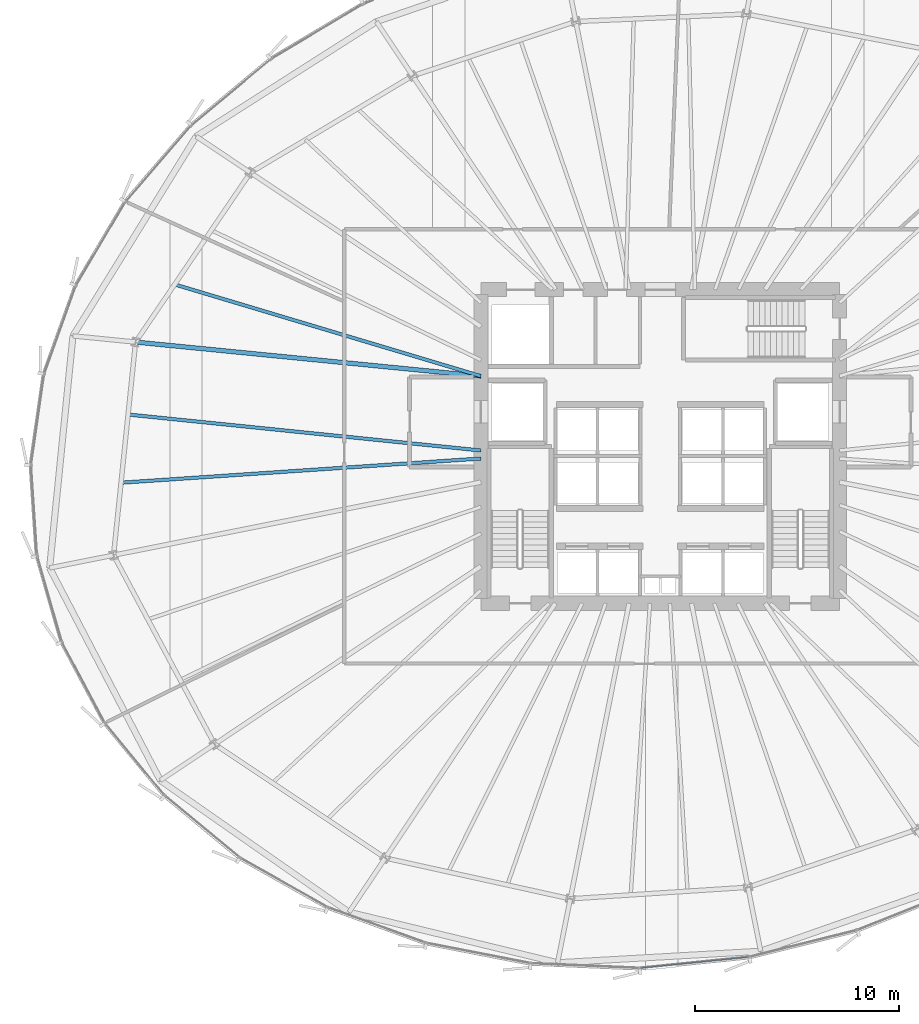
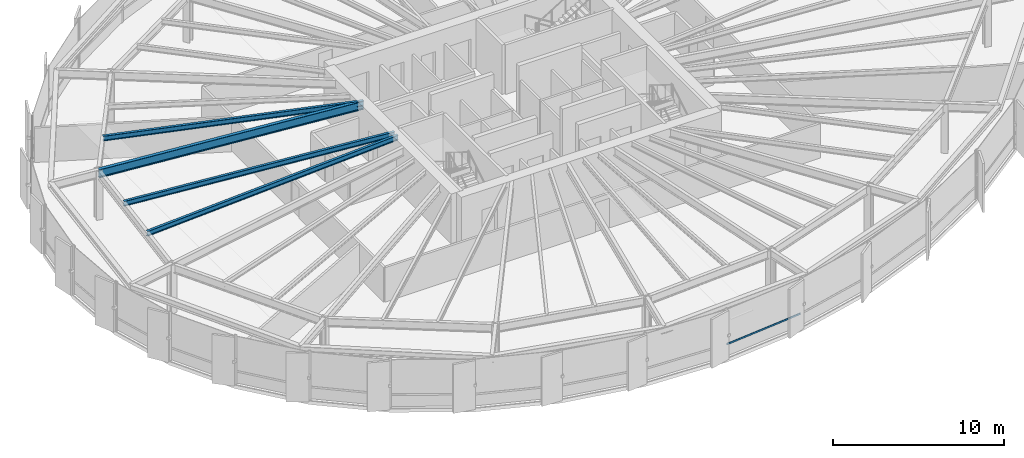
# One storey, part 9 of 35: 4 beams, 1 member, 1 element without a shape of its own.
"""IFC4 building model written with IfcOpenShell, lengths in metres."""

from ifc_helpers import new_model, si_unit, direction, frame, origin, origin_2d, place, context, subcontext, project, spatial, hollow_rectangle, i_section, extrude, source, transform, mapped, material, layer, layer_set, material_profile, profile_set, type_object, element, aggregate, save


model = new_model("IFC4")

# Units and contexts
model_context = context("Model", 3, precision=1e-05, world=origin(), true_north=direction((0.0, 1.0)))
body_context = subcontext(model_context, "Body", "Model", "MODEL_VIEW")
ifc_project = project(units=[si_unit("LENGTHUNIT", "METRE"), si_unit("AREAUNIT", "SQUARE_METRE"), si_unit("VOLUMEUNIT", "CUBIC_METRE"), si_unit("PLANEANGLEUNIT", "RADIAN"), si_unit("MASSUNIT", "GRAM", prefix="KILO"), si_unit("THERMODYNAMICTEMPERATUREUNIT", "KELVIN")], contexts=[model_context])

# Site, building, storey
site_placement = place(None, origin())
site = spatial("IfcSite", under=ifc_project, at=site_placement, CompositionType="ELEMENT")
building_placement = place(site_placement, origin())
building = spatial("IfcBuilding", under=site, at=building_placement, Name="Kethvar Cultural Tower", CompositionType="ELEMENT")
storey_placement = place(building_placement, frame((0.0, 0.0, 71.39990234375)))
storey = spatial("IfcBuildingStorey", under=building, at=storey_placement, Name="L17", CompositionType="ELEMENT", Elevation=71.39990234375)

# Beams
ifc_material_1 = material(Name="Steel S355J2", Category="steel")
ifc_material_profile_1 = material_profile(ifc_material_1, i_section(OverallWidth=0.219970703125, OverallDepth=0.60009765625, WebThickness=0.011962890625, FlangeThickness=0.01904296875, FilletRadius=0.02392578125, at=origin_2d()), Name="Steel S355J2 — IPE600")
ifc_profile_set_1 = profile_set([ifc_material_profile_1], Name="Steel S355J2 — IPE600")
beam_type_1 = type_object("IfcBeamType", Name="BM-IPE600", PredefinedType="BEAM", material=ifc_profile_set_1)
shared_shape_1 = source(origin(), body_context, "Body", "SweptSolid", [
    extrude(i_section(OverallWidth=0.219970703125, OverallDepth=0.60009765625, WebThickness=0.011962890625, FlangeThickness=0.01904296875, FilletRadius=0.02392578125, at=origin_2d()), origin(), (0.0, 0.0, 1.0), 17.03515625),
])
beam_1_placement = place(storey_placement, frame((38.0, 31.25, 3.238037109375), z_axis=(-0.995168138859, 0.098185413375, 0.0), x_axis=(-0.098185413375, -0.995168138859, 0.0)))
element("IfcBeam", 1, at=beam_1_placement, inside=storey, type_object=beam_type_1, Name="L17 Primary Radial Beam RB-08", PredefinedType="BEAM", context=body_context, shape_type="MappedRepresentation", body=[
    mapped(shared_shape_1, transform((0.0, 0.0, 0.0), scale=1.0)),
])
ifc_material_profile_2 = material_profile(ifc_material_1, i_section(OverallWidth=0.169921875, OverallDepth=0.360107421875, WebThickness=0.008056640625, FlangeThickness=0.0126953125, FilletRadius=0.01806640625, at=origin_2d()), Name="Steel S355J2 — IPE360")
ifc_profile_set_2 = profile_set([ifc_material_profile_2], Name="Steel S355J2 — IPE360")
beam_type_2 = type_object("IfcBeamType", Name="BM-J360", PredefinedType="JOIST", material=ifc_profile_set_2)
shared_shape_2 = source(origin(), body_context, "Body", "SweptSolid", [
    extrude(i_section(OverallWidth=0.169921875, OverallDepth=0.360107421875, WebThickness=0.008056640625, FlangeThickness=0.0126953125, FilletRadius=0.01806640625, at=origin_2d()), origin(), (0.0, 0.0, 1.0), 15.6953125),
])
beam_2_placement = place(storey_placement, frame((38.0, 31.25, 3.358154296875), z_axis=(-0.958003344758, 0.28675702508, 0.0), x_axis=(-0.28675702508, -0.958003344758, 0.0)))
element("IfcBeam", 2, at=beam_2_placement, inside=storey, type_object=beam_type_2, Name="L17 Composite Floor Joist J-07B", PredefinedType="JOIST", context=body_context, shape_type="MappedRepresentation", body=[
    mapped(shared_shape_2, transform((0.0, 0.0, 0.0), scale=1.0)),
])
shared_shape_3 = source(origin(), body_context, "Body", "SweptSolid", [
    extrude(i_section(OverallWidth=0.169921875, OverallDepth=0.360107421875, WebThickness=0.008056640625, FlangeThickness=0.0126953125, FilletRadius=0.01806640625, at=origin_2d()), origin(), (0.0, 0.0, 1.0), 17.410400390625),
])
beam_3_placement = place(storey_placement, frame((38.0, 27.60009765625, 3.358154296875), z_axis=(-0.99484162516, 0.101440331474, 0.0), x_axis=(-0.101440331474, -0.99484162516, 0.0)))
element("IfcBeam", 3, at=beam_3_placement, inside=storey, type_object=beam_type_2, Name="L17 Composite Floor Joist J-08A", PredefinedType="JOIST", context=body_context, shape_type="MappedRepresentation", body=[
    mapped(shared_shape_3, transform((0.0, 0.0, 0.0), scale=1.0)),
])
shared_shape_4 = source(origin(), body_context, "Body", "SweptSolid", [
    extrude(i_section(OverallWidth=0.169921875, OverallDepth=0.360107421875, WebThickness=0.008056640625, FlangeThickness=0.0126953125, FilletRadius=0.01806640625, at=origin_2d()), origin(), (0.0, 0.0, 1.0), 17.70654296875),
])
beam_4_placement = place(storey_placement, frame((38.0, 27.207763671875, 3.358154296875), z_axis=(-0.997742984455, -0.067148618533, 0.0), x_axis=(0.067148618533, -0.997742984455, 0.0)))
element("IfcBeam", 4, at=beam_4_placement, inside=storey, type_object=beam_type_2, Name="L17 Composite Floor Joist J-08B", PredefinedType="JOIST", context=body_context, shape_type="MappedRepresentation", body=[
    mapped(shared_shape_4, transform((0.0, 0.0, 0.0), scale=1.0)),
])

# Curtain wall, member
ifc_material_2 = material(Name="Aluminium 6063-T6", Category="aluminium")
ifc_layer = layer(ifc_material_2, 0.179931640625, Name="Aluminium 6063-T6", Category="aluminium")
ifc_layer_set = layer_set([ifc_layer], Name="Aluminium 6063-T6 (180 mm)")
curtain_wall_type = type_object("IfcCurtainWallType", Name="CW-SYS-02-Z1", PredefinedType="NOTDEFINED", material=ifc_layer_set)
curtain_wall_placement = place(storey_placement, origin())
curtain_wall = element("IfcCurtainWall", 5, at=curtain_wall_placement, inside=storey, type_object=curtain_wall_type, Name="L17 Curtain Wall Run 05", PredefinedType="NOTDEFINED")
ifc_material_profile_3 = material_profile(ifc_material_2, hollow_rectangle(XDim=0.054931640625, YDim=0.1201171875, WallThickness=0.00390625, at=origin_2d()), Name="Aluminium 6063-T6 — RHS120x55x4")
ifc_profile_set_3 = profile_set([ifc_material_profile_3], Name="Aluminium 6063-T6 — RHS120x55x4")
member_type = type_object("IfcMemberType", Name="CW-SYS-02-Z1-TRN", PredefinedType="USERDEFINED", material=ifc_profile_set_3)
shared_shape_5 = source(origin(), body_context, "Body", "SweptSolid", [
    extrude(hollow_rectangle(XDim=0.054931640625, YDim=0.1201171875, WallThickness=0.00390625, at=origin_2d()), origin(), (0.0, 0.0, 1.0), 5.333251953125),
])
member_placement = place(storey_placement, frame((45.828857421875, 2.202880859375, 0.9501953125), z_axis=(0.994883274991, 0.101031030594, 0.0), x_axis=(-0.101031030594, 0.994883274991, 0.0)))
member = element("IfcMember", 6, at=member_placement, type_object=member_type, Name="CW-L17-R05 Transom 3", ObjectType="TRANSOM", PredefinedType="USERDEFINED", context=body_context, shape_type="MappedRepresentation", body=[
    mapped(shared_shape_5, transform((0.0, 0.0, 0.0), scale=1.0)),
])
aggregate(curtain_wall, [member])

save(model, "model.ifc")
